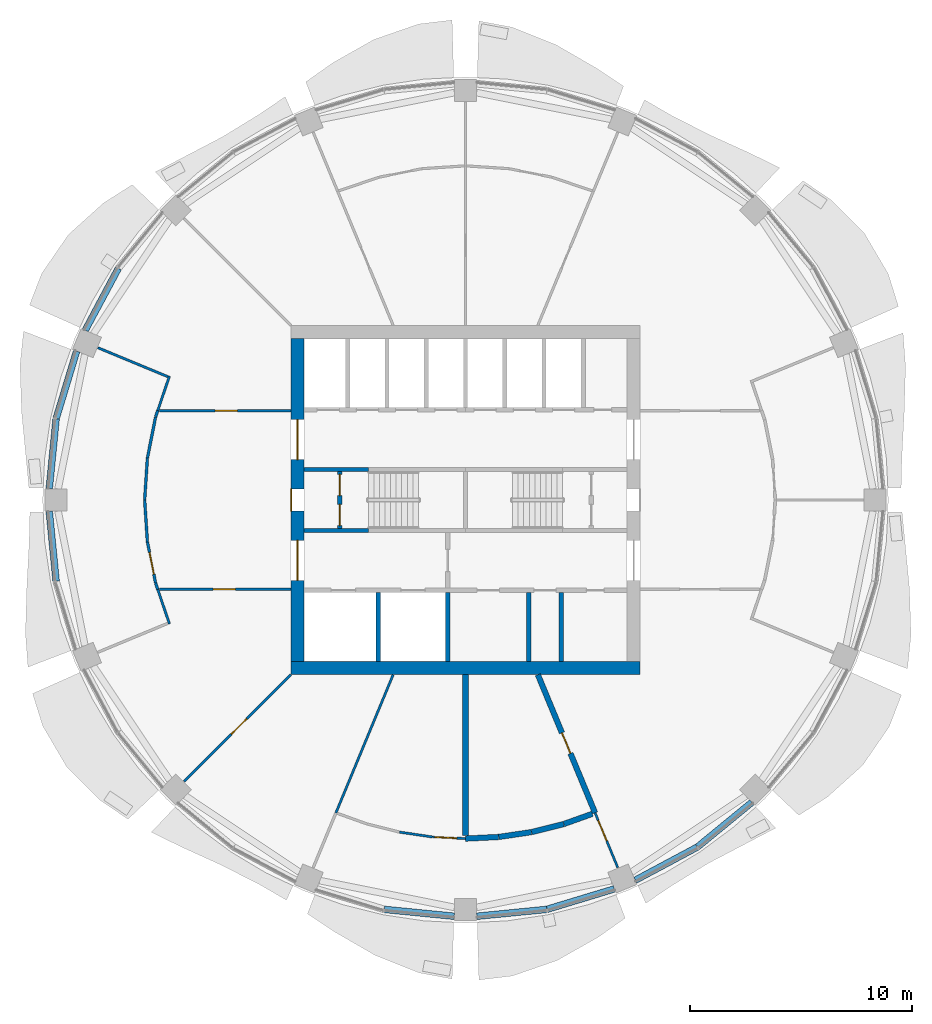
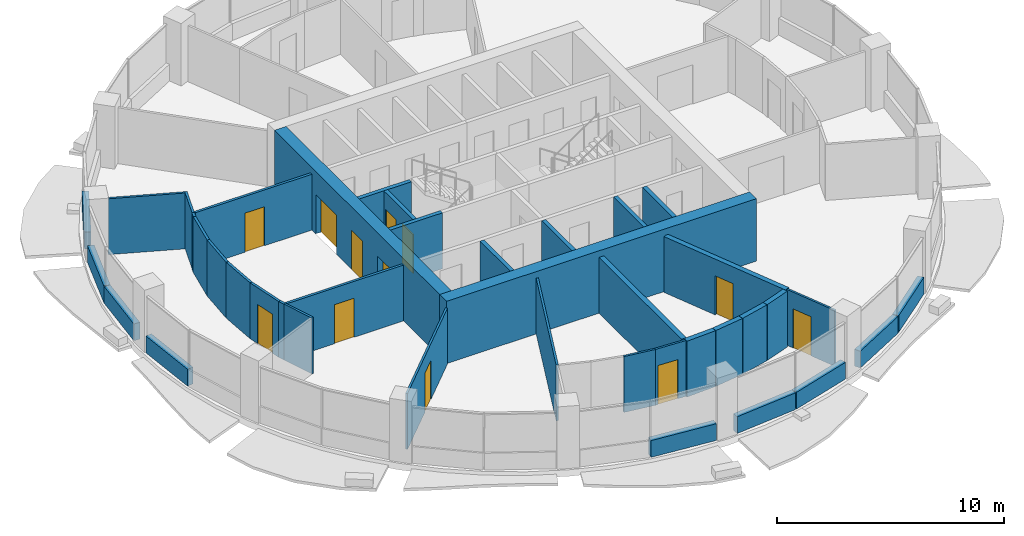
# One storey, part 8 of 15: 40 walls, 12 doors, 12 openings.
"""IFC4 building model written with IfcOpenShell, lengths in metres."""

from ifc_helpers import new_model, si_unit, direction, frame, frame_2d, origin, place, context, subcontext, project, spatial, rectangle, extrude, material, layer, layer_set, type_object, element, fill, save


model = new_model("IFC4")

# Units and contexts
model_context = context("Model", 3, precision=1e-05, world=origin(), true_north=direction((0.0, 1.0)))
body_context = subcontext(model_context, "Body", "Model", "MODEL_VIEW")
ifc_project = project(units=[si_unit("LENGTHUNIT", "METRE"), si_unit("AREAUNIT", "SQUARE_METRE"), si_unit("VOLUMEUNIT", "CUBIC_METRE"), si_unit("PLANEANGLEUNIT", "RADIAN"), si_unit("MASSUNIT", "GRAM", prefix="KILO")], contexts=[model_context])

# Site, building, storey
site_placement = place(None, origin())
site = spatial("IfcSite", under=ifc_project, at=site_placement, CompositionType="ELEMENT")
building_placement = place(site_placement, origin())
building = spatial("IfcBuilding", under=site, at=building_placement, Name="Polderwave Tower", CompositionType="ELEMENT")
storey_placement = place(building_placement, frame((0.0, 0.0, 127.64990234375)))
storey = spatial("IfcBuildingStorey", under=building, at=storey_placement, Name="L33", CompositionType="ELEMENT", Elevation=127.64990234375)

# Wall
ifc_material_1 = material(Name="Concrete C60/75", Category="concrete")
ifc_layer_1 = layer(ifc_material_1, 0.60009765625)
ifc_layer_set_1 = layer_set([ifc_layer_1], Name="CORE WALL 600 C60/75")
wall_type_1 = type_object("IfcWallType", Name="CORE WALL 600 C60/75", PredefinedType="SHEAR", material=ifc_layer_set_1)
wall_1_placement = place(storey_placement, frame((-7.8740234375, -7.573974609375, 0.0), z_axis=(0.0, 0.0, 1.0), x_axis=(1.0, 0.0, 0.0)))
element("IfcWall", 1, at=wall_1_placement, inside=storey, type_object=wall_type_1, Name="ST-CORE-L33-S", PredefinedType="SHEAR", context=body_context, shape_type="SweptSolid", body=[
    extrude(rectangle(XDim=15.748046875, YDim=0.60009765625, at=frame_2d((7.8740234375, 0.0))), origin(), (0.0, 0.0, 1.0), 3.35009765625),
])

# Wall, openings, doors
wall_2_placement = place(storey_placement, frame((-7.573974609375, -7.27392578125, 0.0), z_axis=(0.0, 0.0, 1.0), x_axis=(0.0, 1.0, 0.0)))
wall_2 = element("IfcWall", 2, at=wall_2_placement, inside=storey, type_object=wall_type_1, Name="ST-CORE-L33-W", PredefinedType="SHEAR", context=body_context, shape_type="SweptSolid", body=[
    extrude(rectangle(XDim=14.5478515625, YDim=0.60009765625, at=frame_2d((7.27392578125, 0.0))), origin(), (0.0, 0.0, 1.0), 3.35009765625),
])
opening_1_placement = place(wall_2_placement, frame((6.77392578125, 0.0, 0.0)))
opening_1 = element("IfcOpeningElement", 3, at=opening_1_placement, cuts=wall_2, Name="Opening L33-D19", PredefinedType="OPENING", context=body_context, shape_type="SweptSolid", body=[
    extrude(rectangle(XDim=1.0, YDim=2.10009765625, at=frame_2d((0.5, 1.050048828125))), frame((0.0, 0.31005859375, 0.0), z_axis=(0.0, -1.0, 0.0), x_axis=(1.0, 0.0, 0.0)), (0.0, 0.0, 1.0), 0.6201171875),
])
opening_2_placement = place(wall_2_placement, frame((3.6494140625, 0.0, 0.0)))
opening_2 = element("IfcOpeningElement", 4, at=opening_2_placement, cuts=wall_2, Name="Opening L33-D20", PredefinedType="OPENING", context=body_context, shape_type="SweptSolid", body=[
    extrude(rectangle(XDim=1.800048828125, YDim=2.10009765625, at=frame_2d((0.89990234375, 1.050048828125))), frame((0.0, 0.31005859375, 0.0), z_axis=(0.0, -1.0, 0.0), x_axis=(1.0, 0.0, 0.0)), (0.0, 0.0, 1.0), 0.6201171875),
])
opening_3_placement = place(wall_2_placement, frame((9.098388671875, 0.0, 0.0)))
opening_3 = element("IfcOpeningElement", 5, at=opening_3_placement, cuts=wall_2, Name="Opening L33-D21", PredefinedType="OPENING", context=body_context, shape_type="SweptSolid", body=[
    extrude(rectangle(XDim=1.800048828125, YDim=2.10009765625, at=frame_2d((0.89990234375, 1.050048828125))), frame((0.0, 0.31005859375, 0.0), z_axis=(0.0, -1.0, 0.0), x_axis=(1.0, 0.0, 0.0)), (0.0, 0.0, 1.0), 0.6201171875),
])
ifc_material_2 = material(Name="Steel fire door", Category="steel")
door_type_1 = type_object("IfcDoorType", Name="Lobby entry door pair 1800", OperationType="DOUBLE_DOOR_SINGLE_SWING", PredefinedType="DOOR", material=ifc_material_2)
door_1_placement = place(opening_2_placement, origin())
door_1 = element("IfcDoor", 6, at=door_1_placement, inside=storey, type_object=door_type_1, Name="Fire-fighting lobby entry door", OperationType="DOUBLE_DOOR_SINGLE_SWING", OverallHeight=2.10009765625, OverallWidth=1.800048828125, PredefinedType="DOOR", context=body_context, shape_type="SweptSolid", body=[
    extrude(rectangle(XDim=1.800048828125, YDim=2.10009765625, at=frame_2d((0.89990234375, 1.050048828125))), frame((0.0, 0.02490234375, 0.0), z_axis=(0.0, -1.0, 0.0), x_axis=(1.0, 0.0, 0.0)), (0.0, 0.0, 1.0), 0.050048828125),
])
fill(opening_2, door_1)
door_2_placement = place(opening_3_placement, origin())
door_2 = element("IfcDoor", 7, at=door_2_placement, inside=storey, type_object=door_type_1, Name="North lobby entry door", OperationType="DOUBLE_DOOR_SINGLE_SWING", OverallHeight=2.10009765625, OverallWidth=1.800048828125, PredefinedType="DOOR", context=body_context, shape_type="SweptSolid", body=[
    extrude(rectangle(XDim=1.800048828125, YDim=2.10009765625, at=frame_2d((0.89990234375, 1.050048828125))), frame((0.0, 0.02490234375, 0.0), z_axis=(0.0, -1.0, 0.0), x_axis=(1.0, 0.0, 0.0)), (0.0, 0.0, 1.0), 0.050048828125),
])
fill(opening_3, door_2)
door_type_2 = type_object("IfcDoorType", Name="Stair door 1000", OperationType="NOTDEFINED", PredefinedType="DOOR", material=ifc_material_2)
door_3_placement = place(opening_1_placement, origin())
door_3 = element("IfcDoor", 8, at=door_3_placement, inside=storey, type_object=door_type_2, Name="Stair A entry door", OperationType="SINGLE_SWING_RIGHT", OverallHeight=2.10009765625, OverallWidth=1.0, PredefinedType="DOOR", context=body_context, shape_type="SweptSolid", body=[
    extrude(rectangle(XDim=1.0, YDim=2.10009765625, at=frame_2d((0.5, 1.050048828125))), frame((0.0, 0.2998046875, 0.0), z_axis=(0.0, -1.0, 0.0), x_axis=(1.0, 0.0, 0.0)), (0.0, 0.0, 1.0), 0.050048828125),
])
fill(opening_1, door_3)

# Walls
ifc_material_3 = material(Name="Concrete C50/60 (board-marked)", Category="concrete")
ifc_layer_2 = layer(ifc_material_3, 0.300048828125)
ifc_layer_set_2 = layer_set([ifc_layer_2], Name="Concrete spandrel upstand C50/60")
wall_type_2 = type_object("IfcWallType", Name="Concrete spandrel upstand C50/60", PredefinedType="SOLIDWALL", material=ifc_layer_set_2)
wall_3_placement = place(storey_placement, frame((-15.647216796875, 10.436767578125, 0.0), z_axis=(0.0, 0.0, 1.0), x_axis=(-0.471527722113, -0.881851238747, 0.0)))
element("IfcWall", 9, at=wall_3_placement, inside=storey, type_object=wall_type_2, Name="Spandrel L33 7b", PredefinedType="SOLIDWALL", context=body_context, shape_type="SweptSolid", body=[
    extrude(rectangle(XDim=3.1552734375, YDim=0.300048828125, at=frame_2d((1.57763671875, 0.0))), origin(), (0.0, 0.0, 1.0), 0.900146484375),
])
wall_4_placement = place(storey_placement, frame((-17.52734375, 6.70458984375, 0.0), z_axis=(0.0, 0.0, 1.0), x_axis=(-0.290503096001, -0.956874051907, 0.0)))
element("IfcWall", 10, at=wall_4_placement, inside=storey, type_object=wall_type_2, Name="Spandrel L33 8a", PredefinedType="SOLIDWALL", context=body_context, shape_type="SweptSolid", body=[
    extrude(rectangle(XDim=3.157470703125, YDim=0.300048828125, at=frame_2d((1.57861328125, 0.0))), origin(), (0.0, 0.0, 1.0), 0.900146484375),
])
for number, where, z_axis, x_axis, name in (
    (11, (-18.450439453125, 3.654052734375, 0.0), (0.0, 0.0, 1.0), (-0.097956108817, -0.995190735862, 0.0), "Spandrel L33 8b"),
    (12, (-18.759521484375, -0.513916015625, 0.0), (0.0, 0.0, 1.0), (0.097956108817, -0.995190735862, 0.0), "Spandrel L33 9a"),
    (13, (-3.654052734375, -18.450439453125, 0.0), (0.0, 0.0, 1.0), (0.995190735862, -0.097956108817, 0.0), "Spandrel L33 12b"),
    (14, (0.513916015625, -18.759521484375, 0.0), (0.0, 0.0, 1.0), (0.995190735862, 0.097956108817, 0.0), "Spandrel L33 13a"),
):
    element("IfcWall", number, at=place(storey_placement, frame(where, z_axis=z_axis, x_axis=x_axis)), inside=storey, type_object=wall_type_2, Name=name, PredefinedType="SOLIDWALL", context=body_context, shape_type="SweptSolid", body=[
        extrude(rectangle(XDim=3.1552734375, YDim=0.300048828125, at=frame_2d((1.57763671875, 0.0))), origin(), (0.0, 0.0, 1.0), 0.900146484375),
    ])
wall_5_placement = place(storey_placement, frame((3.683349609375, -18.444580078125, 0.0), z_axis=(0.0, 0.0, 1.0), x_axis=(0.956874051907, 0.290503096001, 0.0)))
element("IfcWall", 15, at=wall_5_placement, inside=storey, type_object=wall_type_2, Name="Spandrel L33 13b", PredefinedType="SOLIDWALL", context=body_context, shape_type="SweptSolid", body=[
    extrude(rectangle(XDim=3.157470703125, YDim=0.300048828125, at=frame_2d((1.57861328125, 0.0))), origin(), (0.0, 0.0, 1.0), 0.900146484375),
])
wall_6_placement = place(storey_placement, frame((7.654296875, -17.135009765625, 0.0), z_axis=(0.0, 0.0, 1.0), x_axis=(0.881851238747, 0.471527722113, 0.0)))
element("IfcWall", 16, at=wall_6_placement, inside=storey, type_object=wall_type_2, Name="Spandrel L33 14a", PredefinedType="SOLIDWALL", context=body_context, shape_type="SweptSolid", body=[
    extrude(rectangle(XDim=3.1552734375, YDim=0.300048828125, at=frame_2d((1.57763671875, 0.0))), origin(), (0.0, 0.0, 1.0), 0.900146484375),
])
wall_7_placement = place(storey_placement, frame((10.461669921875, -15.630615234375, 0.0), z_axis=(0.0, 0.0, 1.0), x_axis=(0.773136573193, 0.634239575548, 0.0)))
element("IfcWall", 17, at=wall_7_placement, inside=storey, type_object=wall_type_2, Name="Spandrel L33 14b", PredefinedType="SOLIDWALL", context=body_context, shape_type="SweptSolid", body=[
    extrude(rectangle(XDim=3.15673828125, YDim=0.300048828125, at=frame_2d((1.578369140625, 0.0))), origin(), (0.0, 0.0, 1.0), 0.900146484375),
])
ifc_material_4 = material(Name="Gypsum board partition")
ifc_layer_3 = layer(ifc_material_4, 0.199951171875)
ifc_layer_set_3 = layer_set([ifc_layer_3], Name="Core room partition 200")
wall_type_3 = type_object("IfcWallType", Name="Core room partition 200", PredefinedType="PARTITIONING", material=ifc_layer_set_3)
for number, where, z_axis, x_axis, name in (
    (18, (2.8427734375, -7.27392578125, 0.0), (0.0, 0.0, 1.0), (0.0, 1.0, 0.0), "L33 room partition S1"),
    (19, (4.321533203125, -7.27392578125, 0.0), (0.0, 0.0, 1.0), (0.0, 1.0, 0.0), "L33 room partition S2"),
):
    element("IfcWall", number, at=place(storey_placement, frame(where, z_axis=z_axis, x_axis=x_axis)), inside=storey, type_object=wall_type_3, Name=name, PredefinedType="PARTITIONING", context=body_context, shape_type="SweptSolid", body=[
        extrude(rectangle(XDim=3.099853515625, YDim=0.199951171875, at=frame_2d((1.5498046875, 0.0))), origin(), (0.0, 0.0, 1.0), 3.0),
    ])

# Wall, openings, doors
wall_8_placement = place(storey_placement, frame((-5.674072265625, -1.27490234375, 0.0), z_axis=(0.0, 0.0, 1.0), x_axis=(0.0, 1.0, 0.0)))
wall_8 = element("IfcWall", 20, at=wall_8_placement, inside=storey, type_object=wall_type_3, Name="L33 smoke lobby wall A", PredefinedType="PARTITIONING", context=body_context, shape_type="SweptSolid", body=[
    extrude(rectangle(XDim=2.5498046875, YDim=0.199951171875, at=frame_2d((1.27490234375, 0.0))), origin(), (0.0, 0.0, 1.0), 3.0),
])
opening_4_placement = place(wall_8_placement, frame((0.125, 0.0, 0.0)))
opening_4 = element("IfcOpeningElement", 21, at=opening_4_placement, cuts=wall_8, Name="Opening L33-D10", PredefinedType="OPENING", context=body_context, shape_type="SweptSolid", body=[
    extrude(rectangle(XDim=0.949951171875, YDim=2.10009765625, at=frame_2d((0.47509765625, 1.050048828125))), frame((0.0, 0.10986328125, 0.0), z_axis=(0.0, -1.0, 0.0), x_axis=(1.0, 0.0, 0.0)), (0.0, 0.0, 1.0), 0.219970703125),
])
opening_5_placement = place(wall_8_placement, frame((1.47509765625, 0.0, 0.0)))
opening_5 = element("IfcOpeningElement", 22, at=opening_5_placement, cuts=wall_8, Name="Opening L33-D11", PredefinedType="OPENING", context=body_context, shape_type="SweptSolid", body=[
    extrude(rectangle(XDim=0.949951171875, YDim=2.10009765625, at=frame_2d((0.47509765625, 1.050048828125))), frame((0.0, 0.10986328125, 0.0), z_axis=(0.0, -1.0, 0.0), x_axis=(1.0, 0.0, 0.0)), (0.0, 0.0, 1.0), 0.219970703125),
])
door_type_3 = type_object("IfcDoorType", Name="Smoke lobby door 950", OperationType="NOTDEFINED", PredefinedType="DOOR", material=ifc_material_2)
door_4_placement = place(opening_4_placement, origin())
door_4 = element("IfcDoor", 23, at=door_4_placement, inside=storey, type_object=door_type_3, Name="Stair A smoke lobby inner door", OperationType="SINGLE_SWING_LEFT", OverallHeight=2.10009765625, OverallWidth=0.949951171875, PredefinedType="DOOR", context=body_context, shape_type="SweptSolid", body=[
    extrude(rectangle(XDim=0.949951171875, YDim=2.10009765625, at=frame_2d((0.47509765625, 1.050048828125))), frame((0.0, 0.02490234375, 0.0), z_axis=(0.0, -1.0, 0.0), x_axis=(1.0, 0.0, 0.0)), (0.0, 0.0, 1.0), 0.050048828125),
])
fill(opening_4, door_4)
door_5_placement = place(opening_5_placement, origin())
door_5 = element("IfcDoor", 24, at=door_5_placement, inside=storey, type_object=door_type_3, Name="Stair A smoke lobby inner door", OperationType="SINGLE_SWING_RIGHT", OverallHeight=2.10009765625, OverallWidth=0.949951171875, PredefinedType="DOOR", context=body_context, shape_type="SweptSolid", body=[
    extrude(rectangle(XDim=0.949951171875, YDim=2.10009765625, at=frame_2d((0.47509765625, 1.050048828125))), frame((0.0, 0.02490234375, 0.0), z_axis=(0.0, -1.0, 0.0), x_axis=(1.0, 0.0, 0.0)), (0.0, 0.0, 1.0), 0.050048828125),
])
fill(opening_5, door_5)

# Walls
ifc_material_5 = material(Name="Concrete C50/60", Category="concrete")
ifc_layer_4 = layer(ifc_material_5, 0.199951171875)
ifc_layer_set_4 = layer_set([ifc_layer_4], Name="Core web wall 200")
wall_type_4 = type_object("IfcWallType", Name="Core web wall 200", PredefinedType="SHEAR", material=ifc_layer_set_4)
for number, where, z_axis, x_axis, name in (
    (25, (-7.27392578125, -1.375, 0.0), (0.0, 0.0, 1.0), (1.0, 0.0, 0.0), "L33 south stair wall 1"),
    (26, (-7.27392578125, 1.375, 0.0), (0.0, 0.0, 1.0), (1.0, 0.0, 0.0), "L33 north stair wall 1"),
):
    element("IfcWall", number, at=place(storey_placement, frame(where, z_axis=z_axis, x_axis=x_axis)), inside=storey, type_object=wall_type_4, Name=name, PredefinedType="SHEAR", context=body_context, shape_type="SweptSolid", body=[
        extrude(rectangle(XDim=2.89990234375, YDim=0.199951171875, at=frame_2d((1.449951171875, 0.0))), origin(), (0.0, 0.0, 1.0), 3.0),
    ])

# Wall, opening, door
ifc_material_6 = material(Name="Fire-resisting board on steel studs", Category="steel")
ifc_layer_5 = layer(ifc_material_6, 0.125)
ifc_layer_set_5 = layer_set([ifc_layer_5], Name="Corridor wall 125 mm EI 60")
wall_type_5 = type_object("IfcWallType", Name="Corridor wall 125 mm EI 60", PredefinedType="PARTITIONING", material=ifc_layer_set_5)
wall_9_placement = place(storey_placement, frame((-13.784423828125, 4.0244140625, 0.0), z_axis=(0.0, 0.0, 1.0), x_axis=(1.0, 0.0, 0.0)))
wall_9 = element("IfcWall", 27, at=wall_9_placement, inside=storey, type_object=wall_type_5, Name="IN-L33-W009", PredefinedType="PARTITIONING", context=body_context, shape_type="SweptSolid", body=[
    extrude(rectangle(XDim=5.910400390625, YDim=0.125, at=frame_2d((2.955078125, 0.0))), origin(), (0.0, 0.0, 1.0), 3.0),
])
opening_6_placement = place(wall_9_placement, frame((2.5, 0.0, 0.0)))
opening_6 = element("IfcOpeningElement", 28, at=opening_6_placement, cuts=wall_9, Name="Opening L33-D54", PredefinedType="OPENING", context=body_context, shape_type="SweptSolid", body=[
    extrude(rectangle(XDim=1.0, YDim=2.10009765625, at=frame_2d((0.5, 1.050048828125))), frame((0.0, 0.072509765625, 0.0), z_axis=(0.0, -1.0, 0.0), x_axis=(1.0, 0.0, 0.0)), (0.0, 0.0, 1.0), 0.14501953125),
])
ifc_material_7 = material(Name="Timber fire door leaf", Category="wood")
door_type_4 = type_object("IfcDoorType", Name="Fire door FD30S 1000 x 2100", OperationType="NOTDEFINED", PredefinedType="DOOR", material=ifc_material_7)
door_6_placement = place(opening_6_placement, origin())
door_6 = element("IfcDoor", 29, at=door_6_placement, inside=storey, type_object=door_type_4, Name="Door L33-D54", OperationType="SINGLE_SWING_RIGHT", OverallHeight=2.10009765625, OverallWidth=1.0, PredefinedType="DOOR", context=body_context, shape_type="SweptSolid", body=[
    extrude(rectangle(XDim=1.0, YDim=2.10009765625, at=frame_2d((0.5, 1.050048828125))), frame((0.0, 0.02490234375, 0.0), z_axis=(0.0, -1.0, 0.0), x_axis=(1.0, 0.0, 0.0)), (0.0, 0.0, 1.0), 0.050048828125),
])
fill(opening_6, door_6)

# Walls
for number, where, z_axis, x_axis, name in (
    (30, (-14.459716796875, 0.004150390625, 0.0), (0.0, 0.0, 1.0), (0.065340129587, 0.997863050456, 0.0), "IN-L33-W010"),
    (31, (-14.336669921875, -1.88330078125, 0.0), (0.0, 0.0, 1.0), (-0.065340129587, 0.997863050456, 0.0), "IN-L33-W011"),
):
    element("IfcWall", number, at=place(storey_placement, frame(where, z_axis=z_axis, x_axis=x_axis)), inside=storey, type_object=wall_type_5, Name=name, PredefinedType="PARTITIONING", context=body_context, shape_type="SweptSolid", body=[
        extrude(rectangle(XDim=1.883056640625, YDim=0.125, at=frame_2d((0.94140625, 0.0))), origin(), (0.0, 0.0, 1.0), 3.0),
    ])
wall_10_placement = place(storey_placement, frame((-14.33544921875, 1.891357421875, 0.0), z_axis=(0.0, 0.0, 1.0), x_axis=(0.195093941763, 0.980784560384, 0.0)))
element("IfcWall", 32, at=wall_10_placement, inside=storey, type_object=wall_type_5, Name="IN-L33-W012", PredefinedType="PARTITIONING", context=body_context, shape_type="SweptSolid", body=[
    extrude(rectangle(XDim=1.88330078125, YDim=0.125, at=frame_2d((0.941650390625, 0.0))), origin(), (0.0, 0.0, 1.0), 3.0),
])

# Wall, opening, door
wall_11_placement = place(storey_placement, frame((-13.968017578125, -3.738525390625, 0.0), z_axis=(0.0, 0.0, 1.0), x_axis=(-0.195093941763, 0.980784560384, 0.0)))
wall_11 = element("IfcWall", 33, at=wall_11_placement, inside=storey, type_object=wall_type_5, Name="IN-L33-W013", PredefinedType="PARTITIONING", context=body_context, shape_type="SweptSolid", body=[
    extrude(rectangle(XDim=1.88330078125, YDim=0.125, at=frame_2d((0.941650390625, 0.0))), origin(), (0.0, 0.0, 1.0), 3.0),
])
opening_7_placement = place(wall_11_placement, frame((0.39990234375, 0.0, 0.0)))
opening_7 = element("IfcOpeningElement", 34, at=opening_7_placement, cuts=wall_11, Name="Opening L33-D55", PredefinedType="OPENING", context=body_context, shape_type="SweptSolid", body=[
    extrude(rectangle(XDim=1.0, YDim=2.10009765625, at=frame_2d((0.5, 1.050048828125))), frame((0.0, 0.072509765625, 0.0), z_axis=(0.0, -1.0, 0.0), x_axis=(1.0, 0.0, 0.0)), (0.0, 0.0, 1.0), 0.14501953125),
])
door_7_placement = place(opening_7_placement, origin())
door_7 = element("IfcDoor", 35, at=door_7_placement, inside=storey, type_object=door_type_4, Name="Door L33-D55", OperationType="SINGLE_SWING_LEFT", OverallHeight=2.10009765625, OverallWidth=1.0, PredefinedType="DOOR", context=body_context, shape_type="SweptSolid", body=[
    extrude(rectangle(XDim=1.0, YDim=2.10009765625, at=frame_2d((0.5, 1.050048828125))), frame((0.0, 0.02490234375, 0.0), z_axis=(0.0, -1.0, 0.0), x_axis=(1.0, 0.0, 0.0)), (0.0, 0.0, 1.0), 0.050048828125),
])
fill(opening_7, door_7)

# Walls
for number, where, z_axis, x_axis, name in (
    (36, (-13.966064453125, 3.746337890625, 0.0), (0.0, 0.0, 1.0), (0.321708987491, 0.94683859626, 0.0), "IN-L33-W014"),
    (37, (-13.87158203125, -4.0244140625, 0.0), (0.0, 0.0, 1.0), (-0.321708987491, 0.94683859626, 0.0), "IN-L33-W015"),
):
    element("IfcWall", number, at=place(storey_placement, frame(where, z_axis=z_axis, x_axis=x_axis)), inside=storey, type_object=wall_type_5, Name=name, PredefinedType="PARTITIONING", context=body_context, shape_type="SweptSolid", body=[
        extrude(rectangle(XDim=0.293701171875, YDim=0.125, at=frame_2d((0.14697265625, 0.0))), origin(), (0.0, 0.0, 1.0), 3.0),
    ])

# Wall, opening, door
wall_12_placement = place(storey_placement, frame((-7.8740234375, -4.0244140625, 0.0), z_axis=(0.0, 0.0, 1.0), x_axis=(-1.0, 0.0, 0.0)))
wall_12 = element("IfcWall", 38, at=wall_12_placement, inside=storey, type_object=wall_type_5, Name="IN-L33-W016", PredefinedType="PARTITIONING", context=body_context, shape_type="SweptSolid", body=[
    extrude(rectangle(XDim=5.910400390625, YDim=0.125, at=frame_2d((2.955078125, 0.0))), origin(), (0.0, 0.0, 1.0), 3.0),
])
opening_8_placement = place(wall_12_placement, frame((2.5, 0.0, 0.0)))
opening_8 = element("IfcOpeningElement", 39, at=opening_8_placement, cuts=wall_12, Name="Opening L33-D56", PredefinedType="OPENING", context=body_context, shape_type="SweptSolid", body=[
    extrude(rectangle(XDim=1.0, YDim=2.10009765625, at=frame_2d((0.5, 1.050048828125))), frame((0.0, 0.072509765625, 0.0), z_axis=(0.0, -1.0, 0.0), x_axis=(1.0, 0.0, 0.0)), (0.0, 0.0, 1.0), 0.14501953125),
])
door_8_placement = place(opening_8_placement, origin())
door_8 = element("IfcDoor", 40, at=door_8_placement, inside=storey, type_object=door_type_4, Name="Door L33-D56", OperationType="SINGLE_SWING_RIGHT", OverallHeight=2.10009765625, OverallWidth=1.0, PredefinedType="DOOR", context=body_context, shape_type="SweptSolid", body=[
    extrude(rectangle(XDim=1.0, YDim=2.10009765625, at=frame_2d((0.5, 1.050048828125))), frame((0.0, 0.02490234375, 0.0), z_axis=(0.0, -1.0, 0.0), x_axis=(1.0, 0.0, 0.0)), (0.0, 0.0, 1.0), 0.050048828125),
])
fill(opening_8, door_8)

ifc_material_8 = material(Name="Plasterboard on steel studs", Category="steel")
ifc_layer_6 = layer(ifc_material_8, 0.10009765625)
ifc_layer_set_6 = layer_set([ifc_layer_6], Name="Partition 100 mm plasterboard on steel studs")
wall_type_6 = type_object("IfcWallType", Name="Partition 100 mm plasterboard on steel studs", PredefinedType="PARTITIONING", material=ifc_layer_set_6)
wall_13_placement = place(storey_placement, frame((-7.8740234375, -7.8740234375, 0.0), z_axis=(0.0, 0.0, 1.0), x_axis=(-0.707106781187, -0.707106781187, 0.0)))
wall_13 = element("IfcWall", 41, at=wall_13_placement, inside=storey, type_object=wall_type_6, Name="IN-L33-W037", PredefinedType="PARTITIONING", context=body_context, shape_type="SweptSolid", body=[
    extrude(rectangle(XDim=6.79443359375, YDim=0.10009765625, at=frame_2d((3.397216796875, 0.0))), origin(), (0.0, 0.0, 1.0), 3.0),
])
opening_9_placement = place(wall_13_placement, frame((2.800048828125, 0.0, 0.0)))
opening_9 = element("IfcOpeningElement", 42, at=opening_9_placement, cuts=wall_13, Name="Opening L33-D62", PredefinedType="OPENING", context=body_context, shape_type="SweptSolid", body=[
    extrude(rectangle(XDim=1.0, YDim=2.10009765625, at=frame_2d((0.5, 1.050048828125))), frame((0.0, 0.06005859375, 0.0), z_axis=(0.0, -1.0, 0.0), x_axis=(1.0, 0.0, 0.0)), (0.0, 0.0, 1.0), 0.1201171875),
])
ifc_material_9 = material(Name="Timber veneer door leaf", Category="wood")
door_type_5 = type_object("IfcDoorType", Name="Single door 1000 x 2100", OperationType="NOTDEFINED", PredefinedType="DOOR", material=ifc_material_9)
door_9_placement = place(opening_9_placement, origin())
door_9 = element("IfcDoor", 43, at=door_9_placement, inside=storey, type_object=door_type_5, Name="Door L33-D62", OperationType="SINGLE_SWING_LEFT", OverallHeight=2.10009765625, OverallWidth=1.0, PredefinedType="DOOR", context=body_context, shape_type="SweptSolid", body=[
    extrude(rectangle(XDim=1.0, YDim=2.10009765625, at=frame_2d((0.5, 1.050048828125))), frame((0.0, 0.02490234375, 0.0), z_axis=(0.0, -1.0, 0.0), x_axis=(1.0, 0.0, 0.0)), (0.0, 0.0, 1.0), 0.050048828125),
])
fill(opening_9, door_9)

wall_14_placement = place(storey_placement, frame((6.861572265625, -16.565185546875, 0.0), z_axis=(0.0, 0.0, 1.0), x_axis=(-0.382744787218, 0.923854116112, 0.0)))
wall_14 = element("IfcWall", 44, at=wall_14_placement, inside=storey, type_object=wall_type_6, Name="IN-L33-W049", PredefinedType="PARTITIONING", context=body_context, shape_type="SweptSolid", body=[
    extrude(rectangle(XDim=2.670166015625, YDim=0.10009765625, at=frame_2d((1.3349609375, 0.0))), origin(), (0.0, 0.0, 1.0), 3.0),
])
opening_10_placement = place(wall_14_placement, frame((1.300048828125, 0.0, 0.0)))
opening_10 = element("IfcOpeningElement", 45, at=opening_10_placement, cuts=wall_14, Name="Opening L33-D64", PredefinedType="OPENING", context=body_context, shape_type="SweptSolid", body=[
    extrude(rectangle(XDim=1.0, YDim=2.10009765625, at=frame_2d((0.5, 1.050048828125))), frame((0.0, 0.06005859375, 0.0), z_axis=(0.0, -1.0, 0.0), x_axis=(1.0, 0.0, 0.0)), (0.0, 0.0, 1.0), 0.1201171875),
])
door_10_placement = place(opening_10_placement, origin())
door_10 = element("IfcDoor", 46, at=door_10_placement, inside=storey, type_object=door_type_5, Name="Door L33-D64", OperationType="SINGLE_SWING_RIGHT", OverallHeight=2.10009765625, OverallWidth=1.0, PredefinedType="DOOR", context=body_context, shape_type="SweptSolid", body=[
    extrude(rectangle(XDim=1.0, YDim=2.10009765625, at=frame_2d((0.5, 1.050048828125))), frame((0.0, 0.02490234375, 0.0), z_axis=(0.0, -1.0, 0.0), x_axis=(1.0, 0.0, 0.0)), (0.0, 0.0, 1.0), 0.050048828125),
])
fill(opening_10, door_10)

# Walls
ifc_material_10 = material(Name="Moisture-resistant board on steel studs, tiled", Category="steel")
ifc_layer_7 = layer(ifc_material_10, 0.10498046875)
ifc_layer_set_7 = layer_set([ifc_layer_7], Name="Partition 105 mm wet room board and tile")
wall_type_7 = type_object("IfcWallType", Name="Partition 105 mm wet room board and tile", PredefinedType="PARTITIONING", material=ifc_layer_set_7)
wall_15_placement = place(storey_placement, frame((-3.261474609375, -7.8740234375, 0.0), z_axis=(0.0, 0.0, 1.0), x_axis=(-0.382671840259, -0.923884334034, 0.0)))
element("IfcWall", 47, at=wall_15_placement, inside=storey, type_object=wall_type_7, Name="IN-L33-W038", PredefinedType="PARTITIONING", context=body_context, shape_type="SweptSolid", body=[
    extrude(rectangle(XDim=6.737060546875, YDim=0.10498046875, at=frame_2d((3.36865234375, 0.0))), origin(), (0.0, 0.0, 1.0), 3.0),
])
wall_16_placement = place(storey_placement, frame((-1.498291015625, -15.18603515625, 0.0), z_axis=(0.0, 0.0, 1.0), x_axis=(-0.98919994883, 0.146572375418, 0.0)))
element("IfcWall", 48, at=wall_16_placement, inside=storey, type_object=wall_type_7, Name="IN-L33-W042", PredefinedType="PARTITIONING", context=body_context, shape_type="SweptSolid", body=[
    extrude(rectangle(XDim=1.492431640625, YDim=0.10498046875, at=frame_2d((0.74609375, 0.0))), origin(), (0.0, 0.0, 1.0), 3.0),
])

# Wall, opening, door
wall_17_placement = place(storey_placement, frame((-1.4931640625, -15.1865234375, 0.0), z_axis=(0.0, 0.0, 1.0), x_axis=(0.99879112895, -0.049155678518, 0.0)))
wall_17 = element("IfcWall", 49, at=wall_17_placement, inside=storey, type_object=wall_type_7, Name="IN-L33-W043", PredefinedType="PARTITIONING", context=body_context, shape_type="SweptSolid", body=[
    extrude(rectangle(XDim=1.494873046875, YDim=0.10498046875, at=frame_2d((0.74755859375, 0.0))), origin(), (0.0, 0.0, 1.0), 3.0),
])
opening_11_placement = place(wall_17_placement, frame((0.10009765625, 0.0, 0.0)))
opening_11 = element("IfcOpeningElement", 50, at=opening_11_placement, cuts=wall_17, Name="Opening L33-D63", PredefinedType="OPENING", context=body_context, shape_type="SweptSolid", body=[
    extrude(rectangle(XDim=1.0, YDim=2.10009765625, at=frame_2d((0.5, 1.050048828125))), frame((0.0, 0.0625, 0.0), z_axis=(0.0, -1.0, 0.0), x_axis=(1.0, 0.0, 0.0)), (0.0, 0.0, 1.0), 0.125),
])
door_11_placement = place(opening_11_placement, origin())
door_11 = element("IfcDoor", 51, at=door_11_placement, inside=storey, type_object=door_type_5, Name="Door L33-D63", OperationType="SINGLE_SWING_LEFT", OverallHeight=2.10009765625, OverallWidth=1.0, PredefinedType="DOOR", context=body_context, shape_type="SweptSolid", body=[
    extrude(rectangle(XDim=1.0, YDim=2.10009765625, at=frame_2d((0.5, 1.050048828125))), frame((0.0, 0.02490234375, 0.0), z_axis=(0.0, -1.0, 0.0), x_axis=(1.0, 0.0, 0.0)), (0.0, 0.0, 1.0), 0.050048828125),
])
fill(opening_11, door_11)

# Walls
ifc_material_11 = material(Name="Acoustic double plasterboard on steel studs", Category="steel")
ifc_layer_8 = layer(ifc_material_11, 0.110107421875)
ifc_layer_set_8 = layer_set([ifc_layer_8], Name="Partition 110 mm acoustic double board")
wall_type_8 = type_object("IfcWallType", Name="Partition 110 mm acoustic double board", PredefinedType="PARTITIONING", material=ifc_layer_set_8)
wall_18_placement = place(storey_placement, frame((-13.87158203125, 4.0244140625, 0.0), z_axis=(0.0, 0.0, 1.0), x_axis=(0.321464693968, 0.946921565143, 0.0)))
element("IfcWall", 52, at=wall_18_placement, inside=storey, type_object=wall_type_8, Name="IN-L33-W033", PredefinedType="PARTITIONING", context=body_context, shape_type="SweptSolid", body=[
    extrude(rectangle(XDim=1.648681640625, YDim=0.110107421875, at=frame_2d((0.82421875, 0.0))), origin(), (0.0, 0.0, 1.0), 3.0),
])
wall_19_placement = place(storey_placement, frame((-13.41357421875, 5.55615234375, 0.0), z_axis=(0.0, 0.0, 1.0), x_axis=(-0.923881629558, 0.382678369606, 0.0)))
element("IfcWall", 53, at=wall_19_placement, inside=storey, type_object=wall_type_8, Name="IN-L33-W034", PredefinedType="PARTITIONING", context=body_context, shape_type="SweptSolid", body=[
    extrude(rectangle(XDim=3.411376953125, YDim=0.110107421875, at=frame_2d((1.70556640625, 0.0))), origin(), (0.0, 0.0, 1.0), 3.0),
])
wall_20_placement = place(storey_placement, frame((-13.87158203125, -4.0244140625, 0.0), z_axis=(0.0, 0.0, 1.0), x_axis=(0.321464693968, -0.946921565143, 0.0)))
element("IfcWall", 54, at=wall_20_placement, inside=storey, type_object=wall_type_8, Name="IN-L33-W035", PredefinedType="PARTITIONING", context=body_context, shape_type="SweptSolid", body=[
    extrude(rectangle(XDim=1.648681640625, YDim=0.110107421875, at=frame_2d((0.82421875, 0.0))), origin(), (0.0, 0.0, 1.0), 3.0),
])
ifc_material_12 = material(Name="Fire-resisting board on steel studs, mineral wool", Category="steel")
ifc_layer_9 = layer(ifc_material_12, 0.25)
ifc_layer_set_9 = layer_set([ifc_layer_9], Name="Plant room wall 250 mm EI 120")
wall_type_9 = type_object("IfcWallType", Name="Plant room wall 250 mm EI 120", PredefinedType="PARTITIONING", material=ifc_layer_set_9)
wall_21_placement = place(storey_placement, frame((0.0, -7.8740234375, 0.0), z_axis=(0.0, 0.0, 1.0), x_axis=(0.0, -1.0, 0.0)))
element("IfcWall", 55, at=wall_21_placement, inside=storey, type_object=wall_type_9, Name="IN-L33-W044", PredefinedType="PARTITIONING", context=body_context, shape_type="SweptSolid", body=[
    extrude(rectangle(XDim=7.254638671875, YDim=0.25, at=frame_2d((3.62744140625, 0.0))), origin(), (0.0, 0.0, 1.0), 3.0),
])
wall_22_placement = place(storey_placement, frame((0.0, -15.260009765625, 0.0), z_axis=(0.0, 0.0, 1.0), x_axis=(0.99879323204, 0.049112927325, 0.0)))
element("IfcWall", 56, at=wall_22_placement, inside=storey, type_object=wall_type_9, Name="IN-L33-W045", PredefinedType="PARTITIONING", context=body_context, shape_type="SweptSolid", body=[
    extrude(rectangle(XDim=1.4912109375, YDim=0.25, at=frame_2d((0.74560546875, 0.0))), origin(), (0.0, 0.0, 1.0), 3.0),
])
wall_23_placement = place(storey_placement, frame((1.501708984375, -15.185546875, 0.0), z_axis=(0.0, 0.0, 1.0), x_axis=(0.989192869337, 0.146620146136, 0.0)))
element("IfcWall", 57, at=wall_23_placement, inside=storey, type_object=wall_type_9, Name="IN-L33-W046", PredefinedType="PARTITIONING", context=body_context, shape_type="SweptSolid", body=[
    extrude(rectangle(XDim=1.4853515625, YDim=0.25, at=frame_2d((0.74267578125, 0.0))), origin(), (0.0, 0.0, 1.0), 3.0),
])
wall_24_placement = place(storey_placement, frame((2.983154296875, -14.96533203125, 0.0), z_axis=(0.0, 0.0, 1.0), x_axis=(0.970026334084, 0.24299981725, 0.0)))
element("IfcWall", 58, at=wall_24_placement, inside=storey, type_object=wall_type_9, Name="IN-L33-W047", PredefinedType="PARTITIONING", context=body_context, shape_type="SweptSolid", body=[
    extrude(rectangle(XDim=1.48486328125, YDim=0.25, at=frame_2d((0.742431640625, 0.0))), origin(), (0.0, 0.0, 1.0), 3.0),
])
wall_25_placement = place(storey_placement, frame((4.435546875, -14.600830078125, 0.0), z_axis=(0.0, 0.0, 1.0), x_axis=(0.941526469986, 0.336939024626, 0.0)))
element("IfcWall", 59, at=wall_25_placement, inside=storey, type_object=wall_type_9, Name="IN-L33-W048", PredefinedType="PARTITIONING", context=body_context, shape_type="SweptSolid", body=[
    extrude(rectangle(XDim=1.360107421875, YDim=0.25, at=frame_2d((0.68017578125, 0.0))), origin(), (0.0, 0.0, 1.0), 3.0),
])

# Wall, opening, door
wall_26_placement = place(storey_placement, frame((5.839599609375, -14.098388671875, 0.0), z_axis=(0.0, 0.0, 1.0), x_axis=(-0.382671840259, 0.923884334034, 0.0)))
wall_26 = element("IfcWall", 60, at=wall_26_placement, inside=storey, type_object=wall_type_9, Name="IN-L33-W050", PredefinedType="PARTITIONING", context=body_context, shape_type="SweptSolid", body=[
    extrude(rectangle(XDim=6.737060546875, YDim=0.25, at=frame_2d((3.36865234375, 0.0))), origin(), (0.0, 0.0, 1.0), 3.0),
])
opening_12_placement = place(wall_26_placement, frame((2.89990234375, 0.0, 0.0)))
opening_12 = element("IfcOpeningElement", 61, at=opening_12_placement, cuts=wall_26, Name="Opening L33-D65", PredefinedType="OPENING", context=body_context, shape_type="SweptSolid", body=[
    extrude(rectangle(XDim=1.0, YDim=2.10009765625, at=frame_2d((0.5, 1.050048828125))), frame((0.0, 0.135009765625, 0.0), z_axis=(0.0, -1.0, 0.0), x_axis=(1.0, 0.0, 0.0)), (0.0, 0.0, 1.0), 0.27001953125),
])
ifc_material_13 = material(Name="Steel plant door leaf", Category="steel")
door_type_6 = type_object("IfcDoorType", Name="Plant door FD60 1000 x 2100 steel", OperationType="NOTDEFINED", PredefinedType="DOOR", material=ifc_material_13)
door_12_placement = place(opening_12_placement, origin())
door_12 = element("IfcDoor", 62, at=door_12_placement, inside=storey, type_object=door_type_6, Name="Door L33-D65", OperationType="SINGLE_SWING_RIGHT", OverallHeight=2.10009765625, OverallWidth=1.0, PredefinedType="DOOR", context=body_context, shape_type="SweptSolid", body=[
    extrude(rectangle(XDim=1.0, YDim=2.10009765625, at=frame_2d((0.5, 1.050048828125))), frame((0.0, 0.02490234375, 0.0), z_axis=(0.0, -1.0, 0.0), x_axis=(1.0, 0.0, 0.0)), (0.0, 0.0, 1.0), 0.050048828125),
])
fill(opening_12, door_12)

# Walls
ifc_material_14 = material(Name="Gypsum shaft wall system")
ifc_layer_10 = layer(ifc_material_14, 0.199951171875)
ifc_layer_set_10 = layer_set([ifc_layer_10], Name="Shaft wall 200")
wall_type_10 = type_object("IfcWallType", Name="Shaft wall 200", PredefinedType="PARTITIONING", material=ifc_layer_set_10)
for number, where, z_axis, x_axis, name in (
    (63, (-3.93701171875, -7.27392578125, 0.0), (0.0, 0.0, 1.0), (0.0, 1.0, 0.0), "L33 fire-fighting shaft wall 1"),
    (64, (-0.800048828125, -7.27392578125, 0.0), (0.0, 0.0, 1.0), (0.0, 1.0, 0.0), "L33 fire-fighting shaft wall 2"),
):
    element("IfcWall", number, at=place(storey_placement, frame(where, z_axis=z_axis, x_axis=x_axis)), inside=storey, type_object=wall_type_10, Name=name, PredefinedType="PARTITIONING", context=body_context, shape_type="SweptSolid", body=[
        extrude(rectangle(XDim=3.099853515625, YDim=0.199951171875, at=frame_2d((1.5498046875, 0.0))), origin(), (0.0, 0.0, 1.0), 3.0),
    ])

save(model, "model.ifc")
